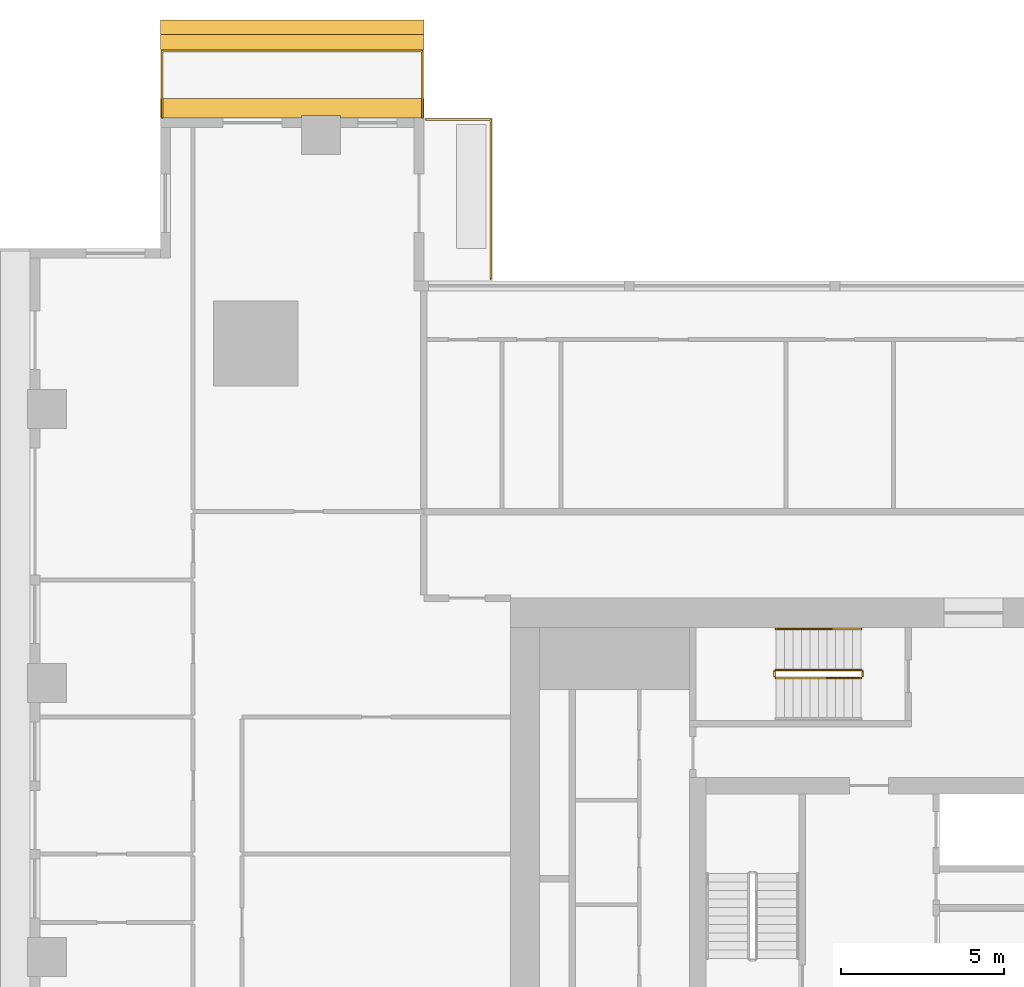
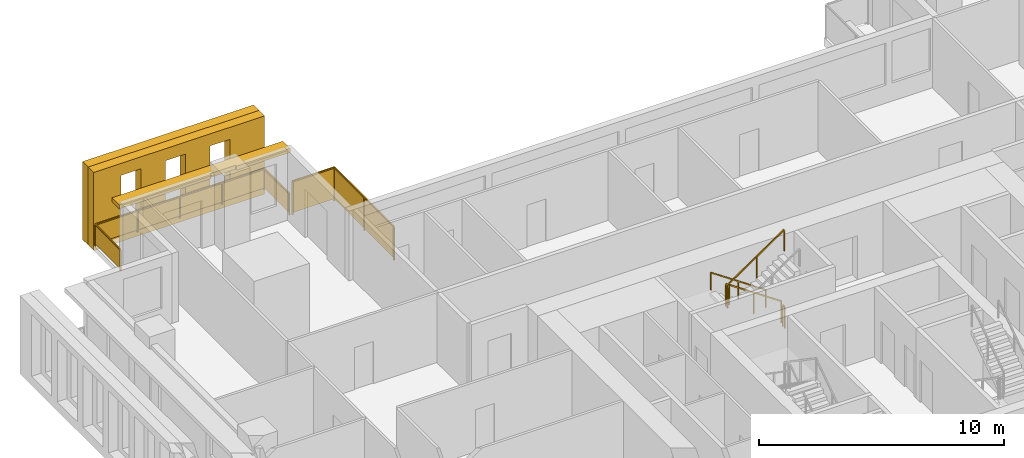
# One storey, part 15 of 16: 7 railings, 3 shading devices.
"""IFC4 building model written with IfcOpenShell, lengths in metres."""

from ifc_helpers import new_model, si_unit, direction, frame, origin, origin_2d, place, context, subcontext, project, spatial, polyline, rectangle, outline, extrude, material, layer, layer_set, type_object, element, save


model = new_model("IFC4")

# Units and contexts
model_context = context("Model", 3, precision=1e-05, world=origin(), true_north=direction((0.0, 1.0)))
body_context = subcontext(model_context, "Body", "Model", "MODEL_VIEW")
ifc_project = project(units=[si_unit("LENGTHUNIT", "METRE"), si_unit("AREAUNIT", "SQUARE_METRE"), si_unit("VOLUMEUNIT", "CUBIC_METRE"), si_unit("PLANEANGLEUNIT", "RADIAN"), si_unit("MASSUNIT", "GRAM", prefix="KILO")], contexts=[model_context])

# Site, building, storey
site_placement = place(None, origin())
site = spatial("IfcSite", under=ifc_project, at=site_placement, CompositionType="ELEMENT")
building_placement = place(site_placement, origin())
building = spatial("IfcBuilding", under=site, at=building_placement, Name="Khepri Terraces", CompositionType="ELEMENT")
storey_placement = place(building_placement, frame((0.0, 0.0, 172.800048828125)))
storey = spatial("IfcBuildingStorey", under=building, at=storey_placement, Name="L41", CompositionType="ELEMENT", Elevation=172.800048828125)

# Railings
ifc_material_1 = material(Name="Stainless steel grade 316", Category="steel")
railing_type_1 = type_object("IfcRailingType", Name="GRD-BAL-1100", PredefinedType="GUARDRAIL", material=ifc_material_1)
railing_1_placement = place(storey_placement, frame((-13.699951171875, 25.719970703125, 0.0)))
element("IfcRailing", 1, at=railing_1_placement, inside=storey, type_object=railing_type_1, Name="Balcony guard L41 N", PredefinedType="GUARDRAIL", context=body_context, shape_type="SweptSolid", body=[
    extrude(rectangle(XDim=0.050048828125, YDim=0.06005859375, at=origin_2d()), frame((0.0, 0.0, 1.070068359375), z_axis=(0.0, 1.0, 0.0), x_axis=(-1.0, 0.0, 0.0)), (0.0, 0.0, 1.0), 2.050048828125),
    extrude(rectangle(XDim=2.0, YDim=0.011962890625, at=origin_2d()), frame((0.0, 1.02490234375, 0.10009765625), z_axis=(0.0, 0.0, 1.0), x_axis=(0.0, 1.0, 0.0)), (0.0, 0.0, 1.0), 0.93994140625),
    extrude(rectangle(XDim=0.050048828125, YDim=0.06005859375, at=origin_2d()), frame((0.0, 2.050048828125, 1.070068359375), z_axis=(-1.0, 0.0, 0.0), x_axis=(0.0, -1.0, 0.0)), (0.0, 0.0, 1.0), 7.969970703125),
    extrude(rectangle(XDim=1.9423828125, YDim=0.011962890625, at=origin_2d()), frame((-0.996337890625, 2.050048828125, 0.10009765625), z_axis=(0.0, 0.0, 1.0), x_axis=(-1.0, 0.0, 0.0)), (0.0, 0.0, 1.0), 0.93994140625),
    extrude(rectangle(XDim=1.9423828125, YDim=0.011962890625, at=origin_2d()), frame((-2.98876953125, 2.050048828125, 0.10009765625), z_axis=(0.0, 0.0, 1.0), x_axis=(-1.0, 0.0, 0.0)), (0.0, 0.0, 1.0), 0.93994140625),
    extrude(rectangle(XDim=1.9423828125, YDim=0.011962890625, at=origin_2d()), frame((-4.981201171875, 2.050048828125, 0.10009765625), z_axis=(0.0, 0.0, 1.0), x_axis=(-1.0, 0.0, 0.0)), (0.0, 0.0, 1.0), 0.93994140625),
    extrude(rectangle(XDim=1.9423828125, YDim=0.011962890625, at=origin_2d()), frame((-6.9736328125, 2.050048828125, 0.10009765625), z_axis=(0.0, 0.0, 1.0), x_axis=(-1.0, 0.0, 0.0)), (0.0, 0.0, 1.0), 0.93994140625),
    extrude(rectangle(XDim=0.050048828125, YDim=0.06005859375, at=origin_2d()), frame((-7.969970703125, 2.050048828125, 1.070068359375), z_axis=(0.0, -1.0, 0.0), x_axis=(1.0, 0.0, 0.0)), (0.0, 0.0, 1.0), 2.050048828125),
    extrude(rectangle(XDim=2.0, YDim=0.011962890625, at=origin_2d()), frame((-7.969970703125, 1.02490234375, 0.10009765625), z_axis=(0.0, 0.0, 1.0), x_axis=(0.0, -1.0, 0.0)), (0.0, 0.0, 1.0), 0.93994140625),
    extrude(rectangle(XDim=0.050048828125, YDim=0.050048828125, at=origin_2d()), origin(), (0.0, 0.0, 1.0), 1.0400390625),
    extrude(rectangle(XDim=0.050048828125, YDim=0.050048828125, at=origin_2d()), frame((0.0, 2.050048828125, 0.0)), (0.0, 0.0, 1.0), 1.0400390625),
    extrude(rectangle(XDim=0.050048828125, YDim=0.050048828125, at=origin_2d()), frame((-1.992431640625, 2.050048828125, 0.0)), (0.0, 0.0, 1.0), 1.0400390625),
    extrude(rectangle(XDim=0.050048828125, YDim=0.050048828125, at=origin_2d()), frame((-3.98486328125, 2.050048828125, 0.0)), (0.0, 0.0, 1.0), 1.0400390625),
    extrude(rectangle(XDim=0.050048828125, YDim=0.050048828125, at=origin_2d()), frame((-5.9775390625, 2.050048828125, 0.0)), (0.0, 0.0, 1.0), 1.0400390625),
    extrude(rectangle(XDim=0.050048828125, YDim=0.050048828125, at=origin_2d()), frame((-7.969970703125, 2.050048828125, 0.0)), (0.0, 0.0, 1.0), 1.0400390625),
    extrude(rectangle(XDim=0.050048828125, YDim=0.050048828125, at=origin_2d()), frame((-7.969970703125, 0.0, 0.0)), (0.0, 0.0, 1.0), 1.0400390625),
])
railing_type_2 = type_object("IfcRailingType", Name="GRD-TERR-1700", PredefinedType="GUARDRAIL", material=ifc_material_1)
railing_2_placement = place(storey_placement, frame((-13.580078125, 25.669921875, 0.0)))
element("IfcRailing", 2, at=railing_2_placement, inside=storey, type_object=railing_type_2, Name="Terrace guard L41", PredefinedType="GUARDRAIL", context=body_context, shape_type="SweptSolid", body=[
    extrude(rectangle(XDim=0.050048828125, YDim=0.06005859375, at=origin_2d()), frame((0.0, 0.0, 1.669921875), z_axis=(1.0, 0.0, 0.0), x_axis=(0.0, 1.0, 0.0)), (0.0, 0.0, 1.0), 1.97998046875),
    extrude(rectangle(XDim=1.929931640625, YDim=0.011962890625, at=origin_2d()), frame((0.989990234375, 0.0, 0.10009765625), z_axis=(0.0, 0.0, 1.0), x_axis=(1.0, 0.0, 0.0)), (0.0, 0.0, 1.0), 1.539794921875),
    extrude(rectangle(XDim=0.050048828125, YDim=0.06005859375, at=origin_2d()), frame((1.97998046875, 0.0, 1.669921875), z_axis=(0.0, -1.0, 0.0), x_axis=(1.0, 0.0, 0.0)), (0.0, 0.0, 1.0), 4.8798828125),
    extrude(rectangle(XDim=2.389892578125, YDim=0.011962890625, at=origin_2d()), frame((1.97998046875, -1.219970703125, 0.10009765625), z_axis=(0.0, 0.0, 1.0), x_axis=(0.0, -1.0, 0.0)), (0.0, 0.0, 1.0), 1.539794921875),
    extrude(rectangle(XDim=2.389892578125, YDim=0.011962890625, at=origin_2d()), frame((1.97998046875, -3.659912109375, 0.10009765625), z_axis=(0.0, 0.0, 1.0), x_axis=(0.0, -1.0, 0.0)), (0.0, 0.0, 1.0), 1.539794921875),
    extrude(rectangle(XDim=0.050048828125, YDim=0.050048828125, at=origin_2d()), origin(), (0.0, 0.0, 1.0), 1.639892578125),
    extrude(rectangle(XDim=0.050048828125, YDim=0.050048828125, at=origin_2d()), frame((1.97998046875, 0.0, 0.0)), (0.0, 0.0, 1.0), 1.639892578125),
    extrude(rectangle(XDim=0.050048828125, YDim=0.050048828125, at=origin_2d()), frame((1.97998046875, -2.43994140625, 0.0)), (0.0, 0.0, 1.0), 1.639892578125),
    extrude(rectangle(XDim=0.050048828125, YDim=0.050048828125, at=origin_2d()), frame((1.97998046875, -4.8798828125, 0.0)), (0.0, 0.0, 1.0), 1.639892578125),
])
ifc_material_2 = material(Name="Stainless steel 316", Category="steel")
railing_type_3 = type_object("IfcRailingType", Name="RL-CORE-GUARD", PredefinedType="GUARDRAIL", material=ifc_material_2)
railing_3_placement = place(storey_placement, frame((-0.25, 8.800048828125, 0.17724609375)))
element("IfcRailing", 3, at=railing_3_placement, inside=storey, type_object=railing_type_3, Name="L41 ST-3 stair guard 1", PredefinedType="GUARDRAIL", context=body_context, shape_type="SweptSolid", body=[
    extrude(rectangle(XDim=0.050048828125, YDim=0.06005859375, at=origin_2d()), frame((0.0, 0.0, 1.070068359375), z_axis=(-0.826240473404, 0.0, 0.563317565952), x_axis=(0.0, -1.0, 0.0)), (0.0, 0.0, 1.0), 3.14697265625),
    extrude(rectangle(XDim=0.050048828125, YDim=0.050048828125, at=origin_2d()), origin(), (0.0, 0.0, 1.0), 1.0400390625),
    extrude(rectangle(XDim=0.050048828125, YDim=0.050048828125, at=origin_2d()), frame((-1.300048828125, 0.0, 0.88623046875)), (0.0, 0.0, 1.0), 1.0400390625),
    extrude(rectangle(XDim=0.050048828125, YDim=0.050048828125, at=origin_2d()), frame((-2.60009765625, 0.0, 1.772705078125)), (0.0, 0.0, 1.0), 1.0400390625),
])
railing_4_placement = place(storey_placement, frame((-2.89990234375, 8.75, 1.949951171875)))
element("IfcRailing", 4, at=railing_4_placement, inside=storey, type_object=railing_type_3, Name="L41 ST-3 stair guard 2", PredefinedType="GUARDRAIL", context=body_context, shape_type="SweptSolid", body=[
    extrude(rectangle(XDim=0.050048828125, YDim=0.06005859375, at=origin_2d()), frame((0.0, 0.0, 1.070068359375), z_axis=(0.0, -1.0, 0.0), x_axis=(1.0, 0.0, 0.0)), (0.0, 0.0, 1.0), 0.14990234375),
    extrude(rectangle(XDim=0.050048828125, YDim=0.050048828125, at=origin_2d()), origin(), (0.0, 0.0, 1.0), 1.0400390625),
    extrude(rectangle(XDim=0.050048828125, YDim=0.050048828125, at=origin_2d()), frame((0.0, -0.14990234375, 0.0)), (0.0, 0.0, 1.0), 1.0400390625),
])
railing_5_placement = place(storey_placement, frame((-2.85009765625, 8.550048828125, 2.127197265625)))
element("IfcRailing", 5, at=railing_5_placement, inside=storey, type_object=railing_type_3, Name="L41 ST-3 stair guard 3", PredefinedType="GUARDRAIL", context=body_context, shape_type="SweptSolid", body=[
    extrude(rectangle(XDim=0.050048828125, YDim=0.06005859375, at=origin_2d()), frame((0.0, 0.0, 1.070068359375), z_axis=(0.826240473404, 0.0, 0.563317565952), x_axis=(0.0, 1.0, 0.0)), (0.0, 0.0, 1.0), 3.14697265625),
    extrude(rectangle(XDim=0.050048828125, YDim=0.050048828125, at=origin_2d()), origin(), (0.0, 0.0, 1.0), 1.0400390625),
    extrude(rectangle(XDim=0.050048828125, YDim=0.050048828125, at=origin_2d()), frame((1.300048828125, 0.0, 0.88623046875)), (0.0, 0.0, 1.0), 1.0400390625),
    extrude(rectangle(XDim=0.050048828125, YDim=0.050048828125, at=origin_2d()), frame((2.60009765625, 0.0, 1.772705078125)), (0.0, 0.0, 1.0), 1.0400390625),
])
railing_6_placement = place(storey_placement, frame((-0.199951171875, 8.75, 0.0)))
element("IfcRailing", 6, at=railing_6_placement, inside=storey, type_object=railing_type_3, Name="L41 ST-3 stair guard 4", PredefinedType="GUARDRAIL", context=body_context, shape_type="SweptSolid", body=[
    extrude(rectangle(XDim=0.050048828125, YDim=0.06005859375, at=origin_2d()), frame((0.0, 0.0, 1.070068359375), z_axis=(0.0, -1.0, 0.0), x_axis=(1.0, 0.0, 0.0)), (0.0, 0.0, 1.0), 0.14990234375),
    extrude(rectangle(XDim=0.050048828125, YDim=0.050048828125, at=origin_2d()), origin(), (0.0, 0.0, 1.0), 1.0400390625),
    extrude(rectangle(XDim=0.050048828125, YDim=0.050048828125, at=origin_2d()), frame((0.0, -0.14990234375, 0.0)), (0.0, 0.0, 1.0), 1.0400390625),
])
railing_type_4 = type_object("IfcRailingType", Name="RL-CORE-HANDRAIL", PredefinedType="HANDRAIL", material=ifc_material_2)
railing_7_placement = place(storey_placement, frame((-0.25, 10.050048828125, 0.17724609375)))
element("IfcRailing", 7, at=railing_7_placement, inside=storey, type_object=railing_type_4, Name="L41 ST-3 stair handrail 1", PredefinedType="HANDRAIL", context=body_context, shape_type="SweptSolid", body=[
    extrude(rectangle(XDim=0.050048828125, YDim=0.050048828125, at=origin_2d()), frame((0.0, 0.0, 0.875), z_axis=(-0.826240473404, 0.0, 0.563317565952), x_axis=(0.0, -1.0, 0.0)), (0.0, 0.0, 1.0), 3.14697265625),
    extrude(rectangle(XDim=0.050048828125, YDim=0.050048828125, at=origin_2d()), origin(), (0.0, 0.0, 1.0), 0.849853515625),
    extrude(rectangle(XDim=0.050048828125, YDim=0.050048828125, at=origin_2d()), frame((-1.300048828125, 0.0, 0.88623046875)), (0.0, 0.0, 1.0), 0.849853515625),
    extrude(rectangle(XDim=0.050048828125, YDim=0.050048828125, at=origin_2d()), frame((-2.60009765625, 0.0, 1.772705078125)), (0.0, 0.0, 1.0), 0.849853515625),
])

# Shading devices
ifc_material_3 = material(Name="Precast concrete C50/60 warm stone", Category="masonry")
shading_device_type_1 = type_object("IfcShadingDeviceType", Name="SCR-CELL-INNER-450", PredefinedType="USERDEFINED", material=ifc_material_3)
shading_device_1_placement = place(storey_placement, frame((-13.64990234375, 27.820068359375, -0.25), z_axis=(0.0, 1.0, 0.0), x_axis=(-1.0, 0.0, 0.0)))
element("IfcShadingDevice", 8, at=shading_device_1_placement, inside=storey, type_object=shading_device_type_1, Name="Cell screen L41 N in", ObjectType="SCREEN", PredefinedType="USERDEFINED", context=body_context, shape_type="SweptSolid", body=[
    extrude(outline(polyline([(0.0, 0.0), (8.070068359375, 0.0), (8.070068359375, 3.89990234375), (0.0, 3.89990234375), (0.0, 0.0)]), holes=[polyline([(1.62744140625, 0.699951171875), (2.572509765625, 0.699951171875), (2.572509765625, 3.300048828125), (1.62744140625, 3.300048828125), (1.62744140625, 0.699951171875)]), polyline([(3.7275390625, 0.699951171875), (4.672607421875, 0.699951171875), (4.672607421875, 3.300048828125), (3.7275390625, 3.300048828125), (3.7275390625, 0.699951171875)]), polyline([(5.827392578125, 0.699951171875), (6.7724609375, 0.699951171875), (6.7724609375, 3.300048828125), (5.827392578125, 3.300048828125), (5.827392578125, 0.699951171875)])]), origin(), (0.0, 0.0, 1.0), 0.449951171875),
])
shading_device_type_2 = type_object("IfcShadingDeviceType", Name="SCR-CELL-OUTER-450", PredefinedType="USERDEFINED", material=ifc_material_3)
shading_device_2_placement = place(storey_placement, frame((-13.64990234375, 28.27001953125, -0.25), z_axis=(0.0, 1.0, 0.0), x_axis=(-1.0, 0.0, 0.0)))
element("IfcShadingDevice", 9, at=shading_device_2_placement, inside=storey, type_object=shading_device_type_2, Name="Cell screen L41 N out", ObjectType="SCREEN", PredefinedType="USERDEFINED", context=body_context, shape_type="SweptSolid", body=[
    extrude(outline(polyline([(0.0, 0.0), (8.070068359375, 0.0), (8.070068359375, 3.89990234375), (0.0, 3.89990234375), (0.0, 0.0)]), holes=[polyline([(1.277587890625, 0.449951171875), (2.922607421875, 0.449951171875), (2.922607421875, 3.550048828125), (1.277587890625, 3.550048828125), (1.277587890625, 0.449951171875)]), polyline([(3.37744140625, 0.449951171875), (5.0224609375, 0.449951171875), (5.0224609375, 3.550048828125), (3.37744140625, 3.550048828125), (3.37744140625, 0.449951171875)]), polyline([(5.4775390625, 0.449951171875), (7.12255859375, 0.449951171875), (7.12255859375, 3.550048828125), (5.4775390625, 3.550048828125), (5.4775390625, 0.449951171875)])]), origin(), (0.0, 0.0, 1.0), 0.449951171875),
])
ifc_layer = layer(ifc_material_3, 0.199951171875, Name="Precast concrete C50/60 warm stone", Category="masonry")
ifc_layer_set = layer_set([ifc_layer], Name="Precast concrete C50/60 warm stone")
shading_device_type_3 = type_object("IfcShadingDeviceType", Name="SSH-BAND-STONE-200-N", PredefinedType="USERDEFINED", material=ifc_layer_set)
shading_device_3_placement = place(storey_placement, frame((0.0, 0.0, 3.099853515625)))
element("IfcShadingDevice", 10, at=shading_device_3_placement, inside=storey, type_object=shading_device_type_3, Name="Sunshade band L41 N", ObjectType="SUNSHADE", PredefinedType="USERDEFINED", context=body_context, shape_type="SweptSolid", body=[
    extrude(outline(polyline([(-16.199951171875, 25.719970703125), (-13.64990234375, 25.719970703125), (-13.64990234375, 26.320068359375), (-21.719970703125, 26.320068359375), (-21.719970703125, 25.719970703125), (-17.39990234375, 25.719970703125), (-17.39990234375, 25.800048828125), (-16.199951171875, 25.800048828125), (-16.199951171875, 25.719970703125)])), origin(), (0.0, 0.0, 1.0), 0.2001953125),
])

save(model, "model.ifc")
